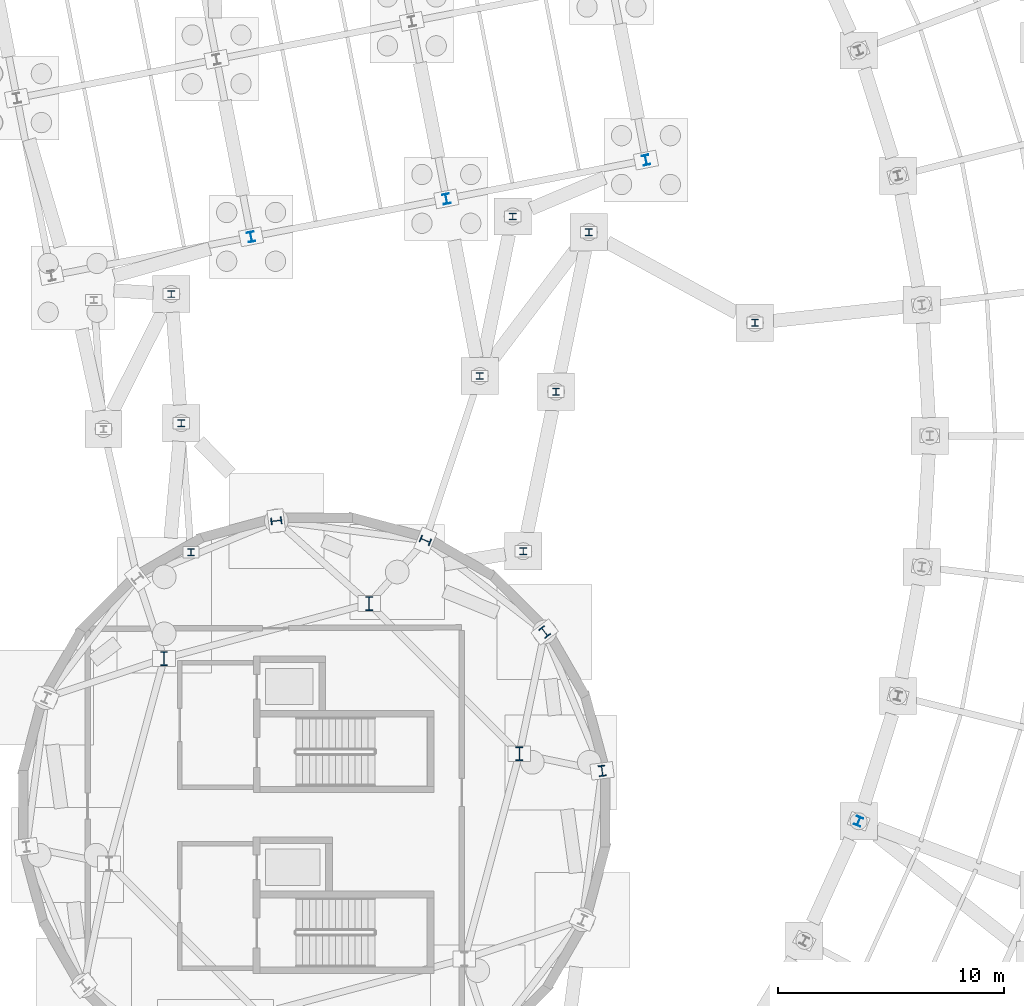
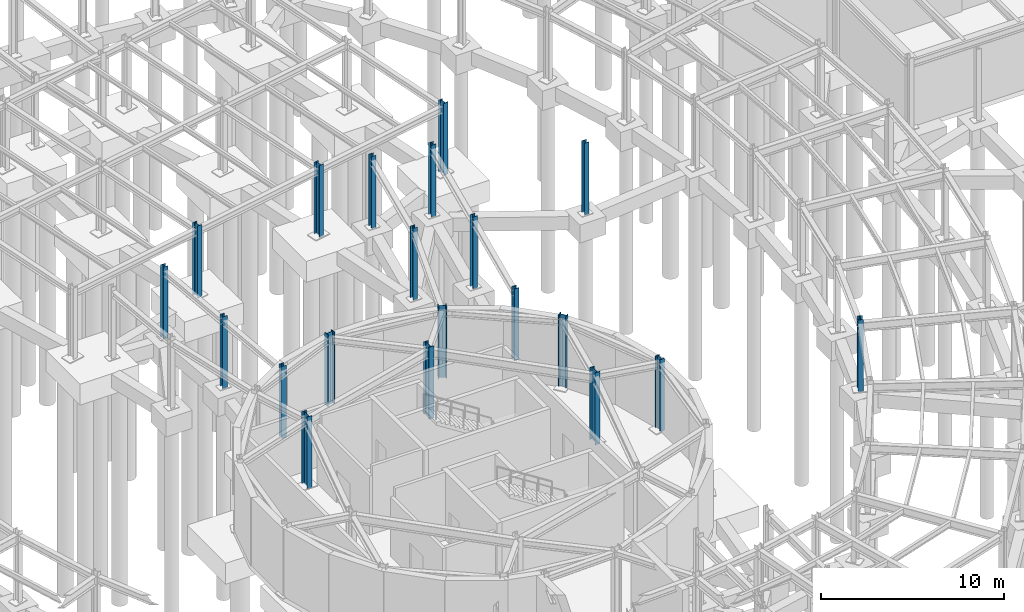
# One storey, part 16 of 50: 20 columns.
"""IFC4 building model written with IfcOpenShell, lengths in metres."""

import ifcopenshell
import ifcopenshell.guid

model = None  # the IFC model being written
_history = None  # IfcOwnerHistory: only IFC2X3 demands one
_inside = {}  # id of a spatial element -> (the spatial element, [elements in it])
_under = {}  # id of a project, library or spatial element -> (it, [spatial elements below it])
_declared = {}  # id of a project -> (the project, [libraries it declares])
_typed = {}  # id of a type object -> (the type object, [elements of that type])
_made_of = {}  # id of a material, layer set ... -> (it, [elements and type objects made of it])


def new_model(schema):
    """Start an empty IFC model of exactly this schema.

    Asked for "IFC4X3", IfcOpenShell would pick the latest addendum, in which some entities
    have other attributes; the version numbers below select the first issue.
    IFC2X3 requires an IfcOwnerHistory on every rooted entity: one is made here for all.
    """
    global model, _history
    if schema == "IFC4X3":
        model = ifcopenshell.file(schema_version=(4, 3, 0, 0))
    else:
        model = ifcopenshell.file(schema=schema)
    _inside.clear()
    _under.clear()
    _declared.clear()
    _typed.clear()
    _made_of.clear()
    _history = None
    if model.schema == "IFC2X3":
        org = make("IfcOrganization", Name="unknown")
        user = make(
            "IfcPersonAndOrganization",
            ThePerson=make("IfcPerson", FamilyName="unknown"),
            TheOrganization=org,
        )
        app = make(
            "IfcApplication",
            ApplicationDeveloper=org,
            Version="unknown",
            ApplicationFullName="unknown",
            ApplicationIdentifier="unknown",
        )
        _history = make(
            "IfcOwnerHistory",
            OwningUser=user,
            OwningApplication=app,
            ChangeAction="ADDED",
            CreationDate=0,
        )
    return model


def make(cls, **values):
    """One entity of the class cls with the attributes given. An attribute that is None is left unset."""
    return model.create_entity(
        cls, **{name: value for name, value in values.items() if value is not None}
    )


def rooted(cls, **values):
    """An entity with a GlobalId (a new one), such as an element, a storey or a relation."""
    return make(cls, GlobalId=ifcopenshell.guid.new(), OwnerHistory=_history, **values)


def si_unit(unit_type, name, prefix=None):
    """IfcSIUnit, for example si_unit("LENGTHUNIT", "METRE", prefix="MILLI")."""
    return make("IfcSIUnit", UnitType=unit_type, Prefix=prefix, Name=name)


def assignment(units):
    """IfcUnitAssignment: the units of a project."""
    return None if units is None else make("IfcUnitAssignment", Units=units)


def point(xyz):
    """IfcCartesianPoint."""
    return None if xyz is None else make("IfcCartesianPoint", Coordinates=xyz)


def direction(xyz):
    """IfcDirection."""
    return None if xyz is None else make("IfcDirection", DirectionRatios=xyz)


def frame(location, z_axis=None, x_axis=None):
    """IfcAxis2Placement3D, a coordinate frame: its origin and axes. An axis left out is left unset."""
    return make(
        "IfcAxis2Placement3D",
        Location=point(location),
        Axis=direction(z_axis),
        RefDirection=direction(x_axis),
    )


def frame_2d(location, x_axis=None):
    """IfcAxis2Placement2D, a coordinate frame in the plane: its origin and x axis."""
    return make(
        "IfcAxis2Placement2D", Location=point(location), RefDirection=direction(x_axis)
    )


def origin():
    """The frame at (0, 0, 0) with its axes left unset."""
    return frame((0.0, 0.0, 0.0))


def origin_2d():
    """The frame at (0, 0) in the plane with its x axis left unset."""
    return frame_2d((0.0, 0.0))


def place(relative_to, where):
    """IfcLocalPlacement: puts the frame where relative to a parent placement (None: the world)."""
    return make(
        "IfcLocalPlacement", PlacementRelTo=relative_to, RelativePlacement=where
    )


def context(
    kind, dimensions, precision=None, world=None, true_north=None, identifier=None
):
    """IfcGeometricRepresentationContext, for example the 3D "Model" context."""
    return make(
        "IfcGeometricRepresentationContext",
        ContextIdentifier=identifier,
        ContextType=kind,
        CoordinateSpaceDimension=dimensions,
        Precision=precision,
        WorldCoordinateSystem=world,
        TrueNorth=true_north,
    )


def subcontext(parent, identifier, kind, view, scale=None):
    """IfcGeometricRepresentationSubContext, for example "Body" below "Model"."""
    return make(
        "IfcGeometricRepresentationSubContext",
        ContextIdentifier=identifier,
        ContextType=kind,
        ParentContext=parent,
        TargetScale=scale,
        TargetView=view,
    )


def project(units=None, contexts=None):
    """IfcProject with its units and contexts."""
    return rooted(
        "IfcProject",
        Name="project",
        RepresentationContexts=contexts,
        UnitsInContext=assignment(units),
    )


def spatial(cls, under=None, at=None, **own):
    """A site, building, storey or space (cls), placed at a placement, below another one or the project."""
    s = rooted(cls, ObjectPlacement=at, **own)
    if under is not None:
        _under.setdefault(under.id(), (under, []))[1].append(s)
    return s


def profile(cls, at=None, kind="AREA", **sizes):
    """A parametric profile (cls). Its sizes go by their IFC names, for example OverallWidth=200.0."""
    return make(cls, ProfileType=kind, Position=at, **sizes)


def i_section(**sizes):
    """IfcIShapeProfileDef."""
    return profile("IfcIShapeProfileDef", **sizes)


def extrude(swept, where, along, depth):
    """IfcExtrudedAreaSolid: the profile swept, set in the frame where, extruded along a direction by depth."""
    return make(
        "IfcExtrudedAreaSolid",
        SweptArea=swept,
        Position=where,
        ExtrudedDirection=direction(along),
        Depth=depth,
    )


def shape(context_of_items, identifier, shape_type, items):
    """IfcShapeRepresentation: the items that make up one representation, for example the "Body"."""
    return make(
        "IfcShapeRepresentation",
        ContextOfItems=context_of_items,
        RepresentationIdentifier=identifier,
        RepresentationType=shape_type,
        Items=items,
    )


def material(Name=None, Category=None):
    """IfcMaterial."""
    return make("IfcMaterial", Name=Name, Category=Category)


def material_profile(
    of_material, cross_section, Name=None, Category=None, Priority=None
):
    """IfcMaterialProfile: a cross section and its material."""
    return make(
        "IfcMaterialProfile",
        Name=Name,
        Material=of_material,
        Profile=cross_section,
        Priority=Priority,
        Category=Category,
    )


def profile_set(profiles, Name=None, composite=None):
    """IfcMaterialProfileSet."""
    return make(
        "IfcMaterialProfileSet",
        Name=Name,
        MaterialProfiles=profiles,
        CompositeProfile=composite,
    )


def made_of(thing, what):
    """Note that an element or type object is made of a material, layer set ...; save() writes the relation."""
    if what is not None:
        _made_of.setdefault(what.id(), (what, []))[1].append(thing)
    return thing


def type_object(cls, material=None, **own):
    """A type object (cls), such as IfcWallType, which elements share."""
    return made_of(rooted(cls, **own), material)


def element(
    cls,
    number,
    at=None,
    inside=None,
    cuts=None,
    type_object=None,
    material=None,
    context=None,
    identifier="Body",
    shape_type=None,
    held_by="IfcProductDefinitionShape",
    body=None,
    shapes=None,
    **own,
):
    """One element of the class cls, such as IfcWall. Its Tag is "e" and its number.

    at: its placement. inside: the storey or other place that contains it. cuts: it is an
    opening in that element (IfcRelVoidsElement). A single representation is given by context,
    identifier, shape_type and body (its items); several are given by shapes. held_by: the class
    of the entity that holds the representations. save() writes the other relations.
    """
    e = rooted(cls, Tag="e%d" % number, ObjectPlacement=at, **own)
    if body is not None:
        shapes = [shape(context, identifier, shape_type, body)]
    if shapes is not None:
        e.Representation = make(held_by, Representations=shapes)
    if inside is not None:
        _inside.setdefault(inside.id(), (inside, []))[1].append(e)
    if cuts is not None:
        rooted(
            "IfcRelVoidsElement", RelatingBuildingElement=cuts, RelatedOpeningElement=e
        )
    if type_object is not None:
        _typed.setdefault(type_object.id(), (type_object, []))[1].append(e)
    return made_of(e, material)


def aggregate(whole, parts):
    """IfcRelAggregates: a whole, such as a stair, and the parts it consists of."""
    return rooted("IfcRelAggregates", RelatingObject=whole, RelatedObjects=parts)


def save(model, path):
    """Write the relations noted so far, then the file.

    IfcRelAggregates (storeys below a building ...), IfcRelContainedInSpatialStructure (elements
    in a storey), IfcRelDefinesByType, IfcRelAssociatesMaterial and IfcRelDeclares: one each for
    every whole, place, type object, material and project.
    """
    for whole, parts in _under.values():
        aggregate(whole, parts)
    for where, things in _inside.values():
        rooted(
            "IfcRelContainedInSpatialStructure",
            RelatedElements=things,
            RelatingStructure=where,
        )
    for kind, things in _typed.values():
        rooted("IfcRelDefinesByType", RelatedObjects=things, RelatingType=kind)
    for what, things in _made_of.values():
        rooted("IfcRelAssociatesMaterial", RelatedObjects=things, RelatingMaterial=what)
    for by, libraries in _declared.values():
        rooted("IfcRelDeclares", RelatingContext=by, RelatedDefinitions=libraries)
    model.write(path)


model = new_model("IFC4")

# Units and contexts
model_context = context("Model", 3, precision=1e-05, world=origin(), true_north=direction((0.0, 1.0)))
body_context = subcontext(model_context, "Body", "Model", "MODEL_VIEW")
ifc_project = project(units=[si_unit("LENGTHUNIT", "METRE"), si_unit("AREAUNIT", "SQUARE_METRE"), si_unit("VOLUMEUNIT", "CUBIC_METRE"), si_unit("PLANEANGLEUNIT", "RADIAN"), si_unit("MASSUNIT", "GRAM", prefix="KILO")], contexts=[model_context])

# Site, building, storey
site_placement = place(None, origin())
site = spatial("IfcSite", under=ifc_project, at=site_placement, CompositionType="ELEMENT")
building_placement = place(site_placement, origin())
building = spatial("IfcBuilding", under=site, at=building_placement, Name="Varnklinge Art Gallery", CompositionType="ELEMENT")
storey_placement = place(building_placement, frame((0.0, 0.0, -4.800048828125)))
storey = spatial("IfcBuildingStorey", under=building, at=storey_placement, Name="B01", CompositionType="ELEMENT", Elevation=-4.800048828125)

# Columns
ifc_material_1 = material(Name="Steel S355", Category="steel")
ifc_material_profile_1 = material_profile(ifc_material_1, i_section(OverallWidth=0.304931640625, OverallDepth=0.6201171875, WebThickness=0.02099609375, FlangeThickness=0.0400390625, FilletRadius=0.027099609375, at=origin_2d()), Name="HEM 600")
ifc_profile_set_1 = profile_set([ifc_material_profile_1], Name="Steel S355")
column_type_1 = type_object("IfcColumnType", Name="COL-01", PredefinedType="COLUMN", material=ifc_profile_set_1)
for number, where, z_axis, x_axis, name in (
    (1, (84.57958984375, 40.932861328125, 0.0), (0.0, 0.0, 1.0), (1.0, 0.0, 0.0), "B01 Column V4CI-1"),
    (2, (77.932861328125, 47.57958984375, 0.0), (0.0, 0.0, 1.0), (1.0, 0.0, 0.0), "B01 Column V4CI-2"),
    (3, (68.853271484375, 45.146728515625, 0.0), (0.0, 0.0, 1.0), (1.0, 0.0, 0.0), "B01 Column V4CI-3"),
):
    element("IfcColumn", number, at=place(storey_placement, frame(where, z_axis=z_axis, x_axis=x_axis)), inside=storey, type_object=column_type_1, Name=name, PredefinedType="COLUMN", context=body_context, shape_type="SweptSolid", body=[
        extrude(i_section(OverallWidth=0.304931640625, OverallDepth=0.6201171875, WebThickness=0.02099609375, FlangeThickness=0.0400390625, FilletRadius=0.027099609375, at=origin_2d()), origin(), (0.0, 0.0, 1.0), 4.800048828125),
    ])
ifc_material_2 = material(Name="Steel S355", Category="steel")
ifc_material_profile_2 = material_profile(ifc_material_2, i_section(OverallWidth=0.306884765625, OverallDepth=0.47802734375, WebThickness=0.02099609375, FlangeThickness=0.0400390625, FilletRadius=0.027099609375, at=origin_2d()), Name="HEM 450")
ifc_profile_set_2 = profile_set([ifc_material_profile_2], Name="Steel S355")
column_type_2 = type_object("IfcColumnType", Name="COL-02", PredefinedType="COLUMN", material=ifc_profile_set_2)
for number, where, z_axis, x_axis, name in (
    (4, (88.239990234375, 40.17724609375, 0.0), (0.0, 0.0, 1.0), (0.991444861374, 0.13052619222, 0.0), "B01 Column V4CP-01"),
    (5, (85.694580078125, 46.322509765625, 0.0), (0.0, 0.0, 1.0), (0.793353340291, 0.608761429009, 0.0), "B01 Column V4CP-02"),
    (6, (80.41748046875, 50.371826171875, 0.0), (0.0, 0.0, 1.0), (0.382683432365, 0.923879532511, 0.0), "B01 Column V4CP-03"),
    (7, (73.82275390625, 51.239990234375, 0.0), (0.0, 0.0, 1.0), (-0.13052619222, 0.991444861374, 0.0), "B01 Column V4CP-04"),
):
    element("IfcColumn", number, at=place(storey_placement, frame(where, z_axis=z_axis, x_axis=x_axis)), inside=storey, type_object=column_type_2, Name=name, PredefinedType="COLUMN", context=body_context, shape_type="SweptSolid", body=[
        extrude(i_section(OverallWidth=0.306884765625, OverallDepth=0.47802734375, WebThickness=0.02099609375, FlangeThickness=0.0400390625, FilletRadius=0.027099609375, at=origin_2d()), origin(), (0.0, 0.0, 1.0), 4.800048828125),
    ])
ifc_material_3 = material(Name="Steel S355", Category="steel")
ifc_material_profile_3 = material_profile(ifc_material_3, i_section(OverallWidth=0.300048828125, OverallDepth=0.449951171875, WebThickness=0.013916015625, FlangeThickness=0.02587890625, FilletRadius=0.027099609375, at=origin_2d()), Name="HEB 450")
ifc_profile_set_3 = profile_set([ifc_material_profile_3], Name="Steel S355")
column_type_3 = type_object("IfcColumnType", Name="COL-06", PredefinedType="COLUMN", material=ifc_profile_set_3)
for number, where, z_axis, x_axis, name in (
    (8, (72.707275390625, 63.807373046875, 0.0), (0.0, 0.0, 1.0), (0.981627183448, 0.190808995377, 0.0), "B01 Column V4BC-2-1"),
    (9, (81.345703125, 65.486572265625, 0.0), (0.0, 0.0, 1.0), (0.981627183448, 0.190808995377, 0.0), "B01 Column V4BC-3-1"),
    (10, (90.180419921875, 67.203857421875, 0.0), (0.0, 0.0, 1.0), (0.981627183448, 0.190808995377, 0.0), "B01 Column V4BC-4-1"),
):
    element("IfcColumn", number, at=place(storey_placement, frame(where, z_axis=z_axis, x_axis=x_axis)), inside=storey, type_object=column_type_3, Name=name, PredefinedType="COLUMN", context=body_context, shape_type="SweptSolid", body=[
        extrude(i_section(OverallWidth=0.300048828125, OverallDepth=0.449951171875, WebThickness=0.013916015625, FlangeThickness=0.02587890625, FilletRadius=0.027099609375, at=origin_2d()), origin(), (0.0, 0.0, 1.0), 4.800048828125),
    ])
ifc_material_4 = material(Name="Steel S355", Category="steel")
ifc_material_profile_4 = material_profile(ifc_material_4, i_section(OverallWidth=0.300048828125, OverallDepth=0.39990234375, WebThickness=0.013427734375, FlangeThickness=0.02392578125, FilletRadius=0.027099609375, at=origin_2d()), Name="HEB 400")
ifc_profile_set_4 = profile_set([ifc_material_profile_4], Name="Steel S355")
column_type_4 = type_object("IfcColumnType", Name="COL-07", PredefinedType="COLUMN", material=ifc_profile_set_4)
column_placement = place(storey_placement, frame((99.59130859375, 37.9453125, 0.0), z_axis=(0.0, 0.0, 1.0), x_axis=(-0.934017558691, 0.357227098715, 0.0)))
element("IfcColumn", 11, at=column_placement, inside=storey, type_object=column_type_4, Name="B01 Column V2CI-04", PredefinedType="COLUMN", context=body_context, shape_type="SweptSolid", body=[
    extrude(i_section(OverallWidth=0.300048828125, OverallDepth=0.39990234375, WebThickness=0.013427734375, FlangeThickness=0.02392578125, FilletRadius=0.027099609375, at=origin_2d()), origin(), (0.0, 0.0, 1.0), 4.800048828125),
])
ifc_material_5 = material(Name="Steel S355", Category="steel")
ifc_material_profile_5 = material_profile(ifc_material_5, i_section(OverallWidth=0.300048828125, OverallDepth=0.300048828125, WebThickness=0.010986328125, FlangeThickness=0.01904296875, FilletRadius=0.027099609375, at=origin_2d()), Name="HEB 300")
ifc_profile_set_5 = profile_set([ifc_material_profile_5], Name="Steel S355")
column_type_5 = type_object("IfcColumnType", Name="COL-10", PredefinedType="COLUMN", material=ifc_profile_set_5)
for number, where, z_axis, x_axis, name in (
    (12, (70.0478515625, 49.85205078125, 0.0), (0.0, 0.0, 1.0), (1.0, 0.0, 0.0), "B01 Column BRG-1-CL1"),
    (13, (69.613037109375, 55.563720703125, 0.0), (0.0, 0.0, 1.0), (1.0, 0.0, 0.0), "B01 Column BRG-1-CL2"),
    (14, (69.17822265625, 61.275390625, 0.0), (0.0, 0.0, 1.0), (1.0, 0.0, 0.0), "B01 Column BRG-1-CL3"),
    (15, (84.751220703125, 49.89794921875, 0.0), (0.0, 0.0, 1.0), (1.0, 0.0, 0.0), "B01 Column BRG-2-CL1"),
    (16, (86.20263671875, 56.9560546875, 0.0), (0.0, 0.0, 1.0), (1.0, 0.0, 0.0), "B01 Column BRG-2-CL2"),
    (17, (87.654052734375, 64.01416015625, 0.0), (0.0, 0.0, 1.0), (1.0, 0.0, 0.0), "B01 Column BRG-2-CL3"),
    (18, (82.8291015625, 57.64990234375, 0.0), (0.0, 0.0, 1.0), (1.0, 0.0, 0.0), "B01 Column BRG-2-CR2"),
    (19, (84.28076171875, 64.7080078125, 0.0), (0.0, 0.0, 1.0), (1.0, 0.0, 0.0), "B01 Column BRG-2-CR3"),
    (20, (95.0, 60.0, 0.0), (0.0, 0.0, 1.0), (1.0, 0.0, 0.0), "B01 Column APRX-C7"),
):
    element("IfcColumn", number, at=place(storey_placement, frame(where, z_axis=z_axis, x_axis=x_axis)), inside=storey, type_object=column_type_5, Name=name, PredefinedType="COLUMN", context=body_context, shape_type="SweptSolid", body=[
        extrude(i_section(OverallWidth=0.300048828125, OverallDepth=0.300048828125, WebThickness=0.010986328125, FlangeThickness=0.01904296875, FilletRadius=0.027099609375, at=origin_2d()), origin(), (0.0, 0.0, 1.0), 4.800048828125),
    ])

save(model, "model.ifc")
